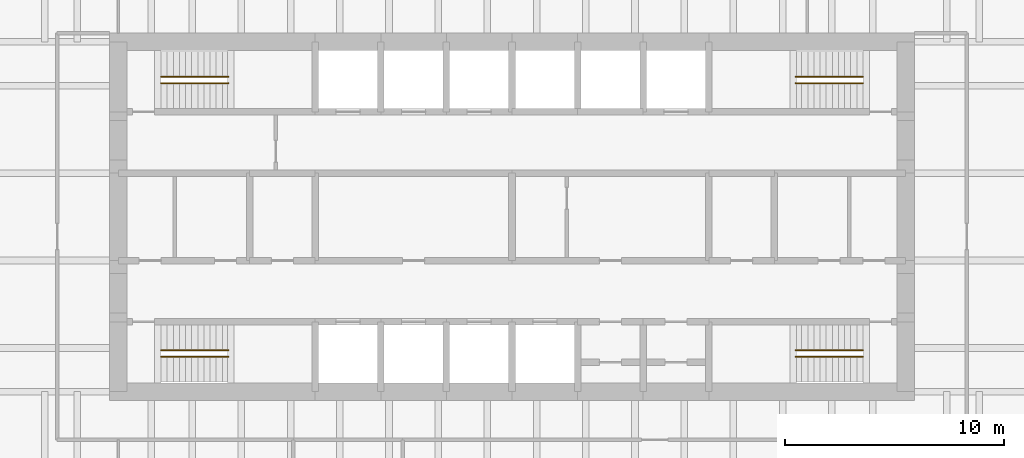
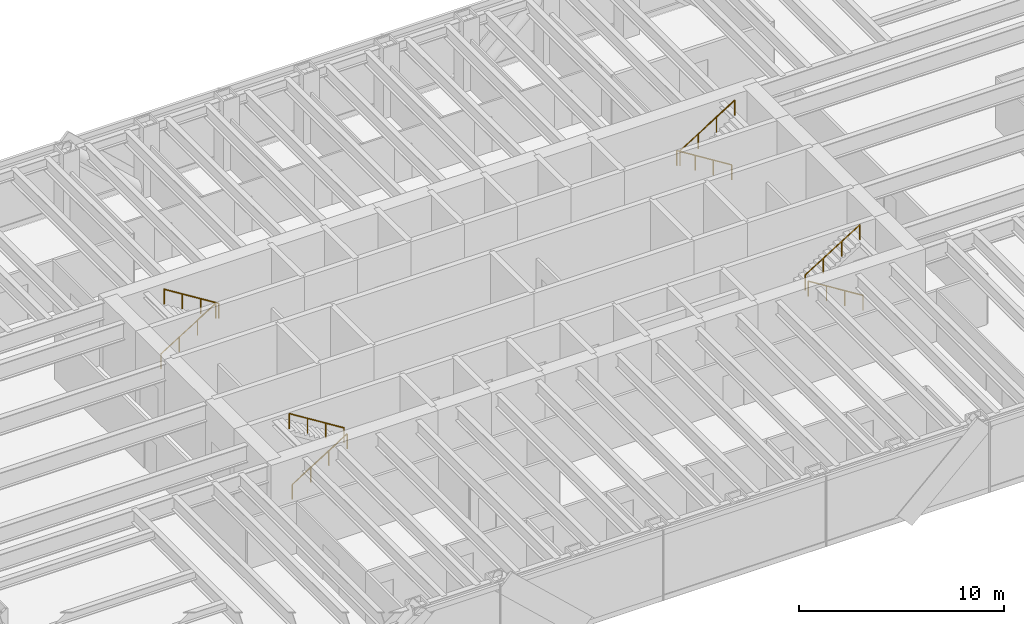
# One storey, part 14 of 14: 8 railings.
"""IFC4 building model written with IfcOpenShell, lengths in metres."""

from ifc_helpers import new_model, si_unit, direction, frame, origin, origin_2d, place, context, subcontext, project, spatial, circle, extrude, material, type_object, element, save


model = new_model("IFC4")

# Units and contexts
model_context = context("Model", 3, precision=1e-05, world=origin(), true_north=direction((0.0, 1.0)))
body_context = subcontext(model_context, "Body", "Model", "MODEL_VIEW")
ifc_project = project(units=[si_unit("LENGTHUNIT", "METRE"), si_unit("AREAUNIT", "SQUARE_METRE"), si_unit("VOLUMEUNIT", "CUBIC_METRE"), si_unit("PLANEANGLEUNIT", "RADIAN"), si_unit("MASSUNIT", "GRAM", prefix="KILO")], contexts=[model_context])

# Site, building, storey
site_placement = place(None, origin())
site = spatial("IfcSite", under=ifc_project, at=site_placement, CompositionType="ELEMENT")
building_placement = place(site_placement, origin())
building = spatial("IfcBuilding", under=site, at=building_placement, Name="Rheinbord Bourse Tower", CompositionType="ELEMENT")
storey_placement = place(building_placement, frame((0.0, 0.0, 194.199951171875)))
storey = spatial("IfcBuildingStorey", under=building, at=storey_placement, Name="L43", CompositionType="ELEMENT", Elevation=194.199951171875)

# Railings
ifc_material = material(Name="Steel handrail", Category="steel")
railing_type = type_object("IfcRailingType", Name="HANDRAIL 900", PredefinedType="HANDRAIL", material=ifc_material)
railing_1_placement = place(storey_placement, frame((19.949951171875, 17.60009765625, 0.175048828125)))
element("IfcRailing", 1, at=railing_1_placement, inside=storey, type_object=railing_type, Name="Handrail", PredefinedType="HANDRAIL", context=body_context, shape_type="SweptSolid", body=[
    extrude(circle(Radius=0.02392578125, at=origin_2d()), frame((0.0, 0.0, 0.8759765625), z_axis=(0.847998304005, 0.0, 0.529998940003), x_axis=(0.0, 1.0, 0.0)), (0.0, 0.0, 1.0), 3.632080078125),
    extrude(circle(Radius=0.02099609375, at=origin_2d()), origin(), (0.0, 0.0, 1.0), 0.851806640625),
    extrude(circle(Radius=0.02099609375, at=origin_2d()), frame((1.026611328125, 0.0, 0.6416015625)), (0.0, 0.0, 1.0), 0.851806640625),
    extrude(circle(Radius=0.02099609375, at=origin_2d()), frame((2.053466796875, 0.0, 1.283447265625)), (0.0, 0.0, 1.0), 0.851806640625),
    extrude(circle(Radius=0.02099609375, at=origin_2d()), frame((3.080078125, 0.0, 1.925048828125)), (0.0, 0.0, 1.0), 0.851806640625),
])
railing_2_placement = place(storey_placement, frame((23.030029296875, 17.89990234375, 2.275146484375)))
element("IfcRailing", 2, at=railing_2_placement, inside=storey, type_object=railing_type, Name="Handrail", PredefinedType="HANDRAIL", context=body_context, shape_type="SweptSolid", body=[
    extrude(circle(Radius=0.02392578125, at=origin_2d()), frame((0.0, 0.0, 0.8759765625), z_axis=(-0.848028513186, 0.0, 0.529950602248), x_axis=(0.0, -1.0, 0.0)), (0.0, 0.0, 1.0), 3.632080078125),
    extrude(circle(Radius=0.02099609375, at=origin_2d()), origin(), (0.0, 0.0, 1.0), 0.851806640625),
    extrude(circle(Radius=0.02099609375, at=origin_2d()), frame((-1.026611328125, 0.0, 0.6416015625)), (0.0, 0.0, 1.0), 0.851806640625),
    extrude(circle(Radius=0.02099609375, at=origin_2d()), frame((-2.053466796875, 0.0, 1.283203125)), (0.0, 0.0, 1.0), 0.851806640625),
    extrude(circle(Radius=0.02099609375, at=origin_2d()), frame((-3.080078125, 0.0, 1.9248046875)), (0.0, 0.0, 1.0), 0.851806640625),
])
railing_3_placement = place(storey_placement, frame((19.949951171875, 30.39990234375, 0.175048828125)))
element("IfcRailing", 3, at=railing_3_placement, inside=storey, type_object=railing_type, Name="Handrail", PredefinedType="HANDRAIL", context=body_context, shape_type="SweptSolid", body=[
    extrude(circle(Radius=0.02392578125, at=origin_2d()), frame((0.0, 0.0, 0.8759765625), z_axis=(0.847998304005, 0.0, 0.529998940003), x_axis=(0.0, 1.0, 0.0)), (0.0, 0.0, 1.0), 3.632080078125),
    extrude(circle(Radius=0.02099609375, at=origin_2d()), origin(), (0.0, 0.0, 1.0), 0.851806640625),
    extrude(circle(Radius=0.02099609375, at=origin_2d()), frame((1.026611328125, 0.0, 0.6416015625)), (0.0, 0.0, 1.0), 0.851806640625),
    extrude(circle(Radius=0.02099609375, at=origin_2d()), frame((2.053466796875, 0.0, 1.283447265625)), (0.0, 0.0, 1.0), 0.851806640625),
    extrude(circle(Radius=0.02099609375, at=origin_2d()), frame((3.080078125, 0.0, 1.925048828125)), (0.0, 0.0, 1.0), 0.851806640625),
])
railing_4_placement = place(storey_placement, frame((23.030029296875, 30.10009765625, 2.275146484375)))
element("IfcRailing", 4, at=railing_4_placement, inside=storey, type_object=railing_type, Name="Handrail", PredefinedType="HANDRAIL", context=body_context, shape_type="SweptSolid", body=[
    extrude(circle(Radius=0.02392578125, at=origin_2d()), frame((0.0, 0.0, 0.8759765625), z_axis=(-0.848028513186, 0.0, 0.529950602248), x_axis=(0.0, -1.0, 0.0)), (0.0, 0.0, 1.0), 3.632080078125),
    extrude(circle(Radius=0.02099609375, at=origin_2d()), origin(), (0.0, 0.0, 1.0), 0.851806640625),
    extrude(circle(Radius=0.02099609375, at=origin_2d()), frame((-1.026611328125, 0.0, 0.6416015625)), (0.0, 0.0, 1.0), 0.851806640625),
    extrude(circle(Radius=0.02099609375, at=origin_2d()), frame((-2.053466796875, 0.0, 1.283203125)), (0.0, 0.0, 1.0), 0.851806640625),
    extrude(circle(Radius=0.02099609375, at=origin_2d()), frame((-3.080078125, 0.0, 1.9248046875)), (0.0, 0.0, 1.0), 0.851806640625),
])
railing_5_placement = place(storey_placement, frame((52.050048828125, 17.60009765625, 0.175048828125)))
element("IfcRailing", 5, at=railing_5_placement, inside=storey, type_object=railing_type, Name="Handrail", PredefinedType="HANDRAIL", context=body_context, shape_type="SweptSolid", body=[
    extrude(circle(Radius=0.02392578125, at=origin_2d()), frame((0.0, 0.0, 0.8759765625), z_axis=(-0.847998304005, 0.0, 0.529998940003), x_axis=(0.0, -1.0, 0.0)), (0.0, 0.0, 1.0), 3.632080078125),
    extrude(circle(Radius=0.02099609375, at=origin_2d()), origin(), (0.0, 0.0, 1.0), 0.851806640625),
    extrude(circle(Radius=0.02099609375, at=origin_2d()), frame((-1.026611328125, 0.0, 0.6416015625)), (0.0, 0.0, 1.0), 0.851806640625),
    extrude(circle(Radius=0.02099609375, at=origin_2d()), frame((-2.053466796875, 0.0, 1.283447265625)), (0.0, 0.0, 1.0), 0.851806640625),
    extrude(circle(Radius=0.02099609375, at=origin_2d()), frame((-3.080078125, 0.0, 1.925048828125)), (0.0, 0.0, 1.0), 0.851806640625),
])
railing_6_placement = place(storey_placement, frame((48.969970703125, 17.89990234375, 2.275146484375)))
element("IfcRailing", 6, at=railing_6_placement, inside=storey, type_object=railing_type, Name="Handrail", PredefinedType="HANDRAIL", context=body_context, shape_type="SweptSolid", body=[
    extrude(circle(Radius=0.02392578125, at=origin_2d()), frame((0.0, 0.0, 0.8759765625), z_axis=(0.848028513186, 0.0, 0.529950602248), x_axis=(0.0, 1.0, 0.0)), (0.0, 0.0, 1.0), 3.632080078125),
    extrude(circle(Radius=0.02099609375, at=origin_2d()), origin(), (0.0, 0.0, 1.0), 0.851806640625),
    extrude(circle(Radius=0.02099609375, at=origin_2d()), frame((1.026611328125, 0.0, 0.6416015625)), (0.0, 0.0, 1.0), 0.851806640625),
    extrude(circle(Radius=0.02099609375, at=origin_2d()), frame((2.053466796875, 0.0, 1.283203125)), (0.0, 0.0, 1.0), 0.851806640625),
    extrude(circle(Radius=0.02099609375, at=origin_2d()), frame((3.080078125, 0.0, 1.9248046875)), (0.0, 0.0, 1.0), 0.851806640625),
])
railing_7_placement = place(storey_placement, frame((52.050048828125, 30.39990234375, 0.175048828125)))
element("IfcRailing", 7, at=railing_7_placement, inside=storey, type_object=railing_type, Name="Handrail", PredefinedType="HANDRAIL", context=body_context, shape_type="SweptSolid", body=[
    extrude(circle(Radius=0.02392578125, at=origin_2d()), frame((0.0, 0.0, 0.8759765625), z_axis=(-0.847998304005, 0.0, 0.529998940003), x_axis=(0.0, -1.0, 0.0)), (0.0, 0.0, 1.0), 3.632080078125),
    extrude(circle(Radius=0.02099609375, at=origin_2d()), origin(), (0.0, 0.0, 1.0), 0.851806640625),
    extrude(circle(Radius=0.02099609375, at=origin_2d()), frame((-1.026611328125, 0.0, 0.6416015625)), (0.0, 0.0, 1.0), 0.851806640625),
    extrude(circle(Radius=0.02099609375, at=origin_2d()), frame((-2.053466796875, 0.0, 1.283447265625)), (0.0, 0.0, 1.0), 0.851806640625),
    extrude(circle(Radius=0.02099609375, at=origin_2d()), frame((-3.080078125, 0.0, 1.925048828125)), (0.0, 0.0, 1.0), 0.851806640625),
])
railing_8_placement = place(storey_placement, frame((48.969970703125, 30.10009765625, 2.275146484375)))
element("IfcRailing", 8, at=railing_8_placement, inside=storey, type_object=railing_type, Name="Handrail", PredefinedType="HANDRAIL", context=body_context, shape_type="SweptSolid", body=[
    extrude(circle(Radius=0.02392578125, at=origin_2d()), frame((0.0, 0.0, 0.8759765625), z_axis=(0.848028513186, 0.0, 0.529950602248), x_axis=(0.0, 1.0, 0.0)), (0.0, 0.0, 1.0), 3.632080078125),
    extrude(circle(Radius=0.02099609375, at=origin_2d()), origin(), (0.0, 0.0, 1.0), 0.851806640625),
    extrude(circle(Radius=0.02099609375, at=origin_2d()), frame((1.026611328125, 0.0, 0.6416015625)), (0.0, 0.0, 1.0), 0.851806640625),
    extrude(circle(Radius=0.02099609375, at=origin_2d()), frame((2.053466796875, 0.0, 1.283203125)), (0.0, 0.0, 1.0), 0.851806640625),
    extrude(circle(Radius=0.02099609375, at=origin_2d()), frame((3.080078125, 0.0, 1.9248046875)), (0.0, 0.0, 1.0), 0.851806640625),
])

save(model, "model.ifc")
